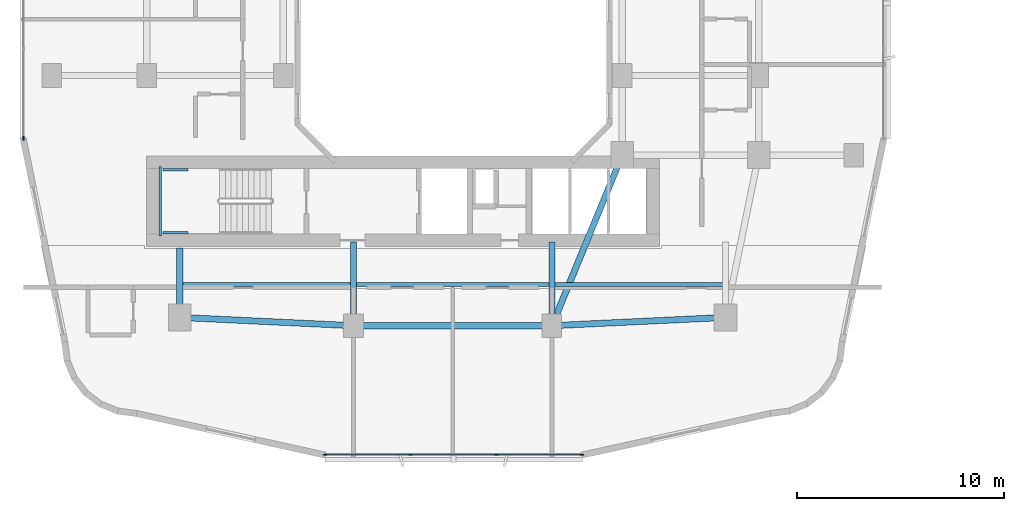
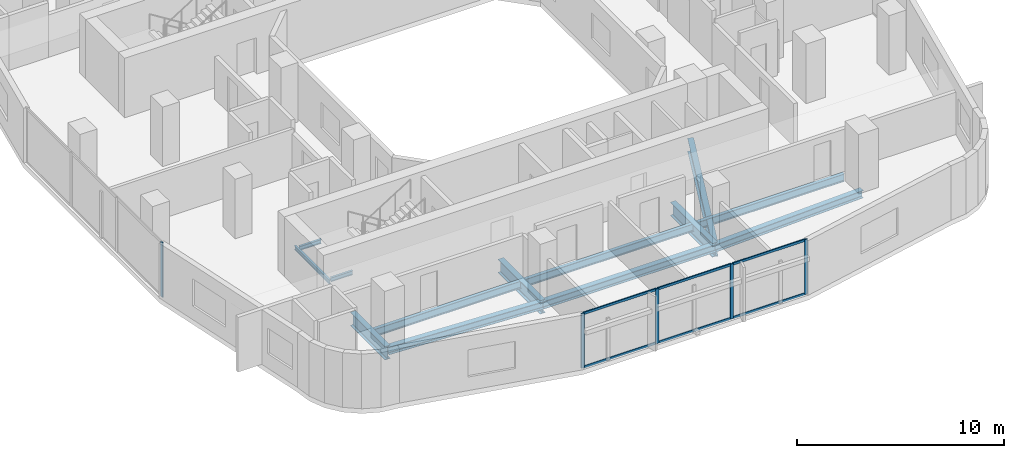
# One storey, part 2 of 26: 13 beams, 11 members, 2 elements without a shape of their own.
"""IFC4 building model written with IfcOpenShell, lengths in metres."""

from ifc_helpers import new_model, si_unit, derived_unit, direction, frame, origin, origin_2d, place, context, subcontext, project, spatial, rectangle, i_section, extrude, material, layer, layer_set, material_profile, profile_set, type_object, element, aggregate, save


model = new_model("IFC4")

# Units and contexts
model_context = context("Model", 3, precision=1e-05, world=origin(), true_north=direction((0.0, 1.0)))
body_context = subcontext(model_context, "Body", "Model", "MODEL_VIEW")
ifc_project = project(units=[si_unit("LENGTHUNIT", "METRE"), si_unit("AREAUNIT", "SQUARE_METRE"), si_unit("VOLUMEUNIT", "CUBIC_METRE"), si_unit("PLANEANGLEUNIT", "RADIAN"), si_unit("MASSUNIT", "GRAM", prefix="KILO"), derived_unit("THERMALTRANSMITTANCEUNIT", [(si_unit("POWERUNIT", "WATT"), 1), (si_unit("LENGTHUNIT", "METRE"), -2), (si_unit("THERMODYNAMICTEMPERATUREUNIT", "KELVIN"), -1)])], contexts=[model_context])

# Site, building, storey
site_placement = place(None, origin())
site = spatial("IfcSite", under=ifc_project, at=site_placement, CompositionType="ELEMENT")
building_placement = place(site_placement, origin())
building = spatial("IfcBuilding", under=site, at=building_placement, Name="Kivonza Crest Hotel", CompositionType="ELEMENT")
storey_placement = place(building_placement, frame((0.0, 0.0, 55.5)))
storey = spatial("IfcBuildingStorey", under=building, at=storey_placement, Name="L14", CompositionType="ELEMENT", Elevation=55.5)

# Beams
ifc_material_1 = material(Name="Steel S355", Category="steel")
ifc_material_profile_1 = material_profile(ifc_material_1, i_section(OverallWidth=0.300048828125, OverallDepth=0.449951171875, WebThickness=0.013916015625, FlangeThickness=0.02587890625, FilletRadius=0.027099609375, at=origin_2d()), Name="HEB 450")
ifc_profile_set_1 = profile_set([ifc_material_profile_1], Name="Steel S355")
beam_type_1 = type_object("IfcBeamType", Name="BM-HEB450", PredefinedType="SPANDREL", material=ifc_profile_set_1)
beam_1_placement = place(storey_placement, frame((16.199951171875, 9.39990234375, -0.5048828125), z_axis=(1.0, 0.0, 0.0), x_axis=(0.0, 1.0, 0.0)))
element("IfcBeam", 1, at=beam_1_placement, inside=storey, type_object=beam_type_1, Name="Tower T1 L14 perimeter spandrel S1-S2", PredefinedType="SPANDREL", context=body_context, shape_type="SweptSolid", body=[
    extrude(i_section(OverallWidth=0.300048828125, OverallDepth=0.449951171875, WebThickness=0.013916015625, FlangeThickness=0.02587890625, FilletRadius=0.027099609375, at=origin_2d()), origin(), (0.0, 0.0, 1.0), 9.60009765625),
])
for number, where, z_axis, x_axis, name in (
    (2, (25.800048828125, 9.39990234375, -0.5048828125), (0.998867283688, 0.047583080799, 0.0), (-0.047583080799, 0.998867283688, 0.0), "Tower T1 L14 perimeter spandrel S2-SE"),
    (3, (7.800048828125, 9.800048828125, -0.5048828125), (0.998867283688, -0.047583080799, 0.0), (0.047583080799, 0.998867283688, 0.0), "Tower T1 L14 perimeter spandrel SW-S1"),
):
    element("IfcBeam", number, at=place(storey_placement, frame(where, z_axis=z_axis, x_axis=x_axis)), inside=storey, type_object=beam_type_1, Name=name, PredefinedType="SPANDREL", context=body_context, shape_type="SweptSolid", body=[
        extrude(i_section(OverallWidth=0.300048828125, OverallDepth=0.449951171875, WebThickness=0.013916015625, FlangeThickness=0.02587890625, FilletRadius=0.027099609375, at=origin_2d()), origin(), (0.0, 0.0, 1.0), 8.409423828125),
    ])
ifc_material_profile_2 = material_profile(ifc_material_1, i_section(OverallWidth=0.300048828125, OverallDepth=0.800048828125, WebThickness=0.017578125, FlangeThickness=0.032958984375, FilletRadius=0.030029296875, at=origin_2d()), Name="HEB 800")
ifc_profile_set_2 = profile_set([ifc_material_profile_2], Name="Steel S355")
beam_type_2 = type_object("IfcBeamType", Name="BM-HEB800", PredefinedType="BEAM", material=ifc_profile_set_2)
beam_2_placement = place(storey_placement, frame((25.800048828125, 9.39990234375, -0.679931640625), z_axis=(0.381022260404, 0.924565864109, 0.0), x_axis=(-0.924565864109, 0.381022260404, 0.0)))
element("IfcBeam", 4, at=beam_2_placement, inside=storey, type_object=beam_type_2, Name="Tower T1 L14 primary girder S1-TSE", PredefinedType="BEAM", context=body_context, shape_type="SweptSolid", body=[
    extrude(i_section(OverallWidth=0.300048828125, OverallDepth=0.800048828125, WebThickness=0.017578125, FlangeThickness=0.032958984375, FilletRadius=0.030029296875, at=origin_2d()), origin(), (0.0, 0.0, 1.0), 8.923095703125),
])
beam_3_placement = place(storey_placement, frame((7.800048828125, 9.800048828125, -0.679931640625), z_axis=(0.0, 1.0, 0.0), x_axis=(-1.0, 0.0, 0.0)))
element("IfcBeam", 5, at=beam_3_placement, inside=storey, type_object=beam_type_2, Name="Tower T1 L14 radial core girder RSW", PredefinedType="BEAM", context=body_context, shape_type="SweptSolid", body=[
    extrude(i_section(OverallWidth=0.300048828125, OverallDepth=0.800048828125, WebThickness=0.017578125, FlangeThickness=0.032958984375, FilletRadius=0.030029296875, at=origin_2d()), origin(), (0.0, 0.0, 1.0), 3.349853515625),
])
for number, where, z_axis, x_axis, name in (
    (6, (16.199951171875, 9.39990234375, -0.679931640625), (0.0, 1.0, 0.0), (-1.0, 0.0, 0.0), "Tower T1 L14 radial core girder RS1"),
    (7, (25.800048828125, 9.39990234375, -0.679931640625), (0.0, 1.0, 0.0), (-1.0, 0.0, 0.0), "Tower T1 L14 radial core girder RS2"),
):
    element("IfcBeam", number, at=place(storey_placement, frame(where, z_axis=z_axis, x_axis=x_axis)), inside=storey, type_object=beam_type_2, Name=name, PredefinedType="BEAM", context=body_context, shape_type="SweptSolid", body=[
        extrude(i_section(OverallWidth=0.300048828125, OverallDepth=0.800048828125, WebThickness=0.017578125, FlangeThickness=0.032958984375, FilletRadius=0.030029296875, at=origin_2d()), origin(), (0.0, 0.0, 1.0), 4.050048828125),
    ])
ifc_material_profile_3 = material_profile(ifc_material_1, i_section(OverallWidth=0.18994140625, OverallDepth=0.449951171875, WebThickness=0.009521484375, FlangeThickness=0.0146484375, FilletRadius=0.02099609375, at=origin_2d()), Name="IPE 450")
ifc_profile_set_3 = profile_set([ifc_material_profile_3], Name="Steel S355")
beam_type_3 = type_object("IfcBeamType", Name="BM-IPE450", PredefinedType="JOIST", material=ifc_profile_set_3)
beam_4_placement = place(storey_placement, frame((7.8798828125, 11.39990234375, -0.5048828125), z_axis=(1.0, 0.0, 0.0), x_axis=(0.0, 1.0, 0.0)))
element("IfcBeam", 8, at=beam_4_placement, inside=storey, type_object=beam_type_3, Name="Tower T1 L14 South-West floor joist", PredefinedType="JOIST", context=body_context, shape_type="SweptSolid", body=[
    extrude(i_section(OverallWidth=0.18994140625, OverallDepth=0.449951171875, WebThickness=0.009521484375, FlangeThickness=0.0146484375, FilletRadius=0.02099609375, at=origin_2d()), origin(), (0.0, 0.0, 1.0), 8.240234375),
])
beam_5_placement = place(storey_placement, frame((16.280029296875, 11.39990234375, -0.5048828125), z_axis=(1.0, 0.0, 0.0), x_axis=(0.0, 1.0, 0.0)))
element("IfcBeam", 9, at=beam_5_placement, inside=storey, type_object=beam_type_3, Name="Tower T1 L14 South-Mid floor joist", PredefinedType="JOIST", context=body_context, shape_type="SweptSolid", body=[
    extrude(i_section(OverallWidth=0.18994140625, OverallDepth=0.449951171875, WebThickness=0.009521484375, FlangeThickness=0.0146484375, FilletRadius=0.02099609375, at=origin_2d()), origin(), (0.0, 0.0, 1.0), 9.43994140625),
])
beam_6_placement = place(storey_placement, frame((25.8798828125, 11.39990234375, -0.5048828125), z_axis=(1.0, 0.0, 0.0), x_axis=(0.0, 1.0, 0.0)))
element("IfcBeam", 10, at=beam_6_placement, inside=storey, type_object=beam_type_3, Name="Tower T1 L14 South-East floor joist", PredefinedType="JOIST", context=body_context, shape_type="SweptSolid", body=[
    extrude(i_section(OverallWidth=0.18994140625, OverallDepth=0.449951171875, WebThickness=0.009521484375, FlangeThickness=0.0146484375, FilletRadius=0.02099609375, at=origin_2d()), origin(), (0.0, 0.0, 1.0), 8.240234375),
])
ifc_material_profile_4 = material_profile(ifc_material_1, i_section(OverallWidth=0.1201171875, OverallDepth=0.239990234375, WebThickness=0.006103515625, FlangeThickness=0.009765625, FilletRadius=0.014892578125, at=origin_2d()), Name="IPE 240")
ifc_profile_set_4 = profile_set([ifc_material_profile_4], Name="Steel S355")
beam_type_4 = type_object("IfcBeamType", Name="BM-LLDG-240", PredefinedType="BEAM", material=ifc_profile_set_4)
beam_7_placement = place(storey_placement, frame((6.860107421875, 13.739990234375, 1.429931640625), z_axis=(0.0, 1.0, 0.0), x_axis=(-1.0, 0.0, 0.0)))
element("IfcBeam", 11, at=beam_7_placement, inside=storey, type_object=beam_type_4, Name="Stair ST-T1-S L14 West landing corbel", PredefinedType="BEAM", context=body_context, shape_type="SweptSolid", body=[
    extrude(i_section(OverallWidth=0.1201171875, OverallDepth=0.239990234375, WebThickness=0.006103515625, FlangeThickness=0.009765625, FilletRadius=0.014892578125, at=origin_2d()), origin(), (0.0, 0.0, 1.0), 3.360107421875),
])
for number, where, z_axis, x_axis, name in (
    (12, (6.989990234375, 13.89990234375, 1.429931640625), (1.0, 0.0, 0.0), (0.0, 1.0, 0.0), "Stair ST-T1-S L14 South landing corbel"),
    (13, (6.989990234375, 16.93994140625, 1.429931640625), (1.0, 0.0, 0.0), (0.0, 1.0, 0.0), "Stair ST-T1-S L14 North landing corbel"),
):
    element("IfcBeam", number, at=place(storey_placement, frame(where, z_axis=z_axis, x_axis=x_axis)), inside=storey, type_object=beam_type_4, Name=name, PredefinedType="BEAM", context=body_context, shape_type="SweptSolid", body=[
        extrude(i_section(OverallWidth=0.1201171875, OverallDepth=0.239990234375, WebThickness=0.006103515625, FlangeThickness=0.009765625, FilletRadius=0.014892578125, at=origin_2d()), origin(), (0.0, 0.0, 1.0), 1.2099609375),
    ])

# Curtain wall, members
ifc_material_2 = material(Name="Anodised bronze aluminium and low-E double glazing", Category="aluminium")
ifc_layer = layer(ifc_material_2, 0.179931640625)
ifc_layer_set = layer_set([ifc_layer], Name="Anodised bronze aluminium and low-E double glazing")
curtain_wall_type = type_object("IfcCurtainWallType", Name="CW-SYS-2", PredefinedType="NOTDEFINED", material=ifc_layer_set)
curtain_wall_1_placement = place(storey_placement, origin())
curtain_wall_1 = element("IfcCurtainWall", 14, at=curtain_wall_1_placement, inside=storey, type_object=curtain_wall_type, Name="L14 unitised curtain wall CW-T1-L14-08", PredefinedType="NOTDEFINED")
ifc_material_3 = material(Name="Anodised bronze aluminium", Category="aluminium")
ifc_material_profile_5 = material_profile(ifc_material_3, rectangle(XDim=0.06494140625, YDim=0.179931640625, at=origin_2d()), Name="CW-M 65x180")
ifc_profile_set_5 = profile_set([ifc_material_profile_5], Name="Anodised bronze aluminium")
member_type_1 = type_object("IfcMemberType", Name="CW-MUL-65x180", PredefinedType="MULLION", material=ifc_profile_set_5)
member_1_placement = place(storey_placement, frame((14.824462890625, 3.159912109375, 0.0), z_axis=(0.0, 0.0, 1.0), x_axis=(0.0, 1.0, 0.0)))
member_1 = element("IfcMember", 15, at=member_1_placement, type_object=member_type_1, Name="CW-2 mullion 1", PredefinedType="MULLION", context=body_context, shape_type="SweptSolid", body=[
    extrude(rectangle(XDim=0.06494140625, YDim=0.179931640625, at=origin_2d()), origin(), (0.0, 0.0, 1.0), 3.219970703125),
])
member_2_placement = place(storey_placement, frame((18.957275390625, 3.159912109375, 0.0), z_axis=(0.0, 0.0, 1.0), x_axis=(0.0, 1.0, 0.0)))
member_2 = element("IfcMember", 16, at=member_2_placement, type_object=member_type_1, Name="CW-2 mullion 2", PredefinedType="MULLION", context=body_context, shape_type="SweptSolid", body=[
    extrude(rectangle(XDim=0.06494140625, YDim=0.179931640625, at=origin_2d()), origin(), (0.0, 0.0, 1.0), 3.219970703125),
])
member_3_placement = place(storey_placement, frame((23.12255859375, 3.159912109375, 0.0), z_axis=(0.0, 0.0, 1.0), x_axis=(0.0, 1.0, 0.0)))
member_3 = element("IfcMember", 17, at=member_3_placement, type_object=member_type_1, Name="CW-2 mullion 3", PredefinedType="MULLION", context=body_context, shape_type="SweptSolid", body=[
    extrude(rectangle(XDim=0.06494140625, YDim=0.179931640625, at=origin_2d()), origin(), (0.0, 0.0, 1.0), 3.219970703125),
])
member_4_placement = place(storey_placement, frame((27.255615234375, 3.159912109375, 0.0), z_axis=(0.0, 0.0, 1.0), x_axis=(0.0, 1.0, 0.0)))
member_4 = element("IfcMember", 18, at=member_4_placement, type_object=member_type_1, Name="CW-2 mullion 4", PredefinedType="MULLION", context=body_context, shape_type="SweptSolid", body=[
    extrude(rectangle(XDim=0.06494140625, YDim=0.179931640625, at=origin_2d()), origin(), (0.0, 0.0, 1.0), 3.219970703125),
])

# Curtain wall, member
curtain_wall_2_placement = place(storey_placement, origin())
curtain_wall_2 = element("IfcCurtainWall", 19, at=curtain_wall_2_placement, inside=storey, type_object=curtain_wall_type, Name="L14 unitised curtain wall CW-T1-L14-35", PredefinedType="NOTDEFINED")
member_5_placement = place(storey_placement, frame((0.239990234375, 18.472412109375, 0.0), z_axis=(0.0, 0.0, 1.0), x_axis=(1.0, 0.0, 0.0)))
member_5 = element("IfcMember", 20, at=member_5_placement, type_object=member_type_1, Name="CW-2 mullion 4", PredefinedType="MULLION", context=body_context, shape_type="SweptSolid", body=[
    extrude(rectangle(XDim=0.06494140625, YDim=0.179931640625, at=origin_2d()), origin(), (0.0, 0.0, 1.0), 3.219970703125),
])
aggregate(curtain_wall_2, [member_5])

# Member
ifc_material_profile_6 = material_profile(ifc_material_3, rectangle(XDim=0.06494140625, YDim=0.139892578125, at=origin_2d()), Name="CW-T 65x140")
ifc_profile_set_6 = profile_set([ifc_material_profile_6], Name="Anodised bronze aluminium")
member_type_2 = type_object("IfcMemberType", Name="CW-TRN-65x140", PredefinedType="USERDEFINED", material=ifc_profile_set_6)
member_6_placement = place(storey_placement, frame((14.85693359375, 3.159912109375, 0.032470703125), z_axis=(1.0, 0.0, 0.0), x_axis=(0.0, 1.0, 0.0)))
member_6 = element("IfcMember", 21, at=member_6_placement, type_object=member_type_2, Name="CW-2 transom 1.1", ObjectType="TRANSOM", PredefinedType="USERDEFINED", context=body_context, shape_type="SweptSolid", body=[
    extrude(rectangle(XDim=0.06494140625, YDim=0.139892578125, at=origin_2d()), origin(), (0.0, 0.0, 1.0), 4.06787109375),
])

member_7_placement = place(storey_placement, frame((14.85693359375, 3.159912109375, 3.1875), z_axis=(1.0, 0.0, 0.0), x_axis=(0.0, 1.0, 0.0)))
member_7 = element("IfcMember", 22, at=member_7_placement, type_object=member_type_2, Name="CW-2 transom 1.2", ObjectType="TRANSOM", PredefinedType="USERDEFINED", context=body_context, shape_type="SweptSolid", body=[
    extrude(rectangle(XDim=0.06494140625, YDim=0.139892578125, at=origin_2d()), origin(), (0.0, 0.0, 1.0), 4.06787109375),
])

member_8_placement = place(storey_placement, frame((18.98974609375, 3.159912109375, 0.032470703125), z_axis=(1.0, 0.0, 0.0), x_axis=(0.0, 1.0, 0.0)))
member_8 = element("IfcMember", 23, at=member_8_placement, type_object=member_type_2, Name="CW-2 transom 2.1", ObjectType="TRANSOM", PredefinedType="USERDEFINED", context=body_context, shape_type="SweptSolid", body=[
    extrude(rectangle(XDim=0.06494140625, YDim=0.139892578125, at=origin_2d()), origin(), (0.0, 0.0, 1.0), 4.100341796875),
])

member_9_placement = place(storey_placement, frame((18.98974609375, 3.159912109375, 3.1875), z_axis=(1.0, 0.0, 0.0), x_axis=(0.0, 1.0, 0.0)))
member_9 = element("IfcMember", 24, at=member_9_placement, type_object=member_type_2, Name="CW-2 transom 2.2", ObjectType="TRANSOM", PredefinedType="USERDEFINED", context=body_context, shape_type="SweptSolid", body=[
    extrude(rectangle(XDim=0.06494140625, YDim=0.139892578125, at=origin_2d()), origin(), (0.0, 0.0, 1.0), 4.100341796875),
])

member_10_placement = place(storey_placement, frame((23.1552734375, 3.159912109375, 0.032470703125), z_axis=(1.0, 0.0, 0.0), x_axis=(0.0, 1.0, 0.0)))
member_10 = element("IfcMember", 25, at=member_10_placement, type_object=member_type_2, Name="CW-2 transom 3.1", ObjectType="TRANSOM", PredefinedType="USERDEFINED", context=body_context, shape_type="SweptSolid", body=[
    extrude(rectangle(XDim=0.06494140625, YDim=0.139892578125, at=origin_2d()), origin(), (0.0, 0.0, 1.0), 4.067626953125),
])

member_11_placement = place(storey_placement, frame((23.1552734375, 3.159912109375, 3.1875), z_axis=(1.0, 0.0, 0.0), x_axis=(0.0, 1.0, 0.0)))
member_11 = element("IfcMember", 26, at=member_11_placement, type_object=member_type_2, Name="CW-2 transom 3.2", ObjectType="TRANSOM", PredefinedType="USERDEFINED", context=body_context, shape_type="SweptSolid", body=[
    extrude(rectangle(XDim=0.06494140625, YDim=0.139892578125, at=origin_2d()), origin(), (0.0, 0.0, 1.0), 4.067626953125),
])

aggregate(curtain_wall_1, [member_1, member_2, member_3, member_4, member_6, member_7, member_8, member_9, member_10, member_11])

save(model, "model.ifc")
